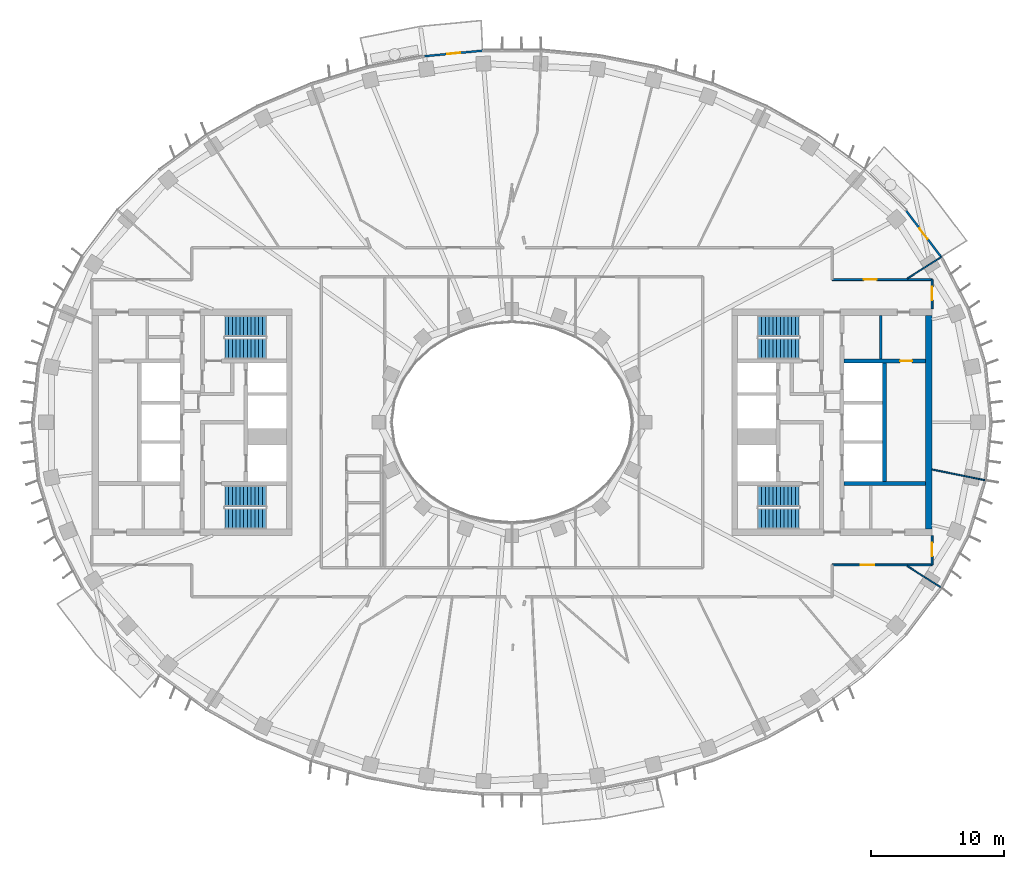
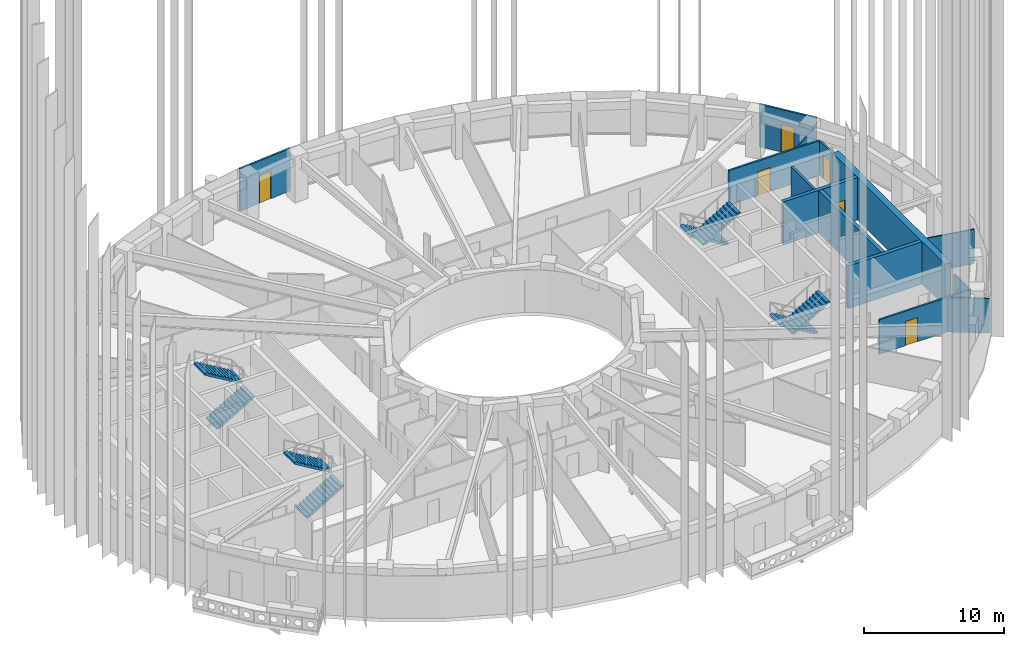
# One storey, part 7 of 19: 14 walls, 8 stair flights, 7 doors, 7 openings, 4 elements without a shape of their own.
"""IFC4 building model written with IfcOpenShell, lengths in metres."""

from ifc_helpers import new_model, si_unit, direction, frame, frame_2d, origin, place, context, subcontext, project, spatial, polyline, rectangle, outline, extrude, material, layer, layer_set, type_object, element, fill, aggregate, save


model = new_model("IFC4")

# Units and contexts
model_context = context("Model", 3, precision=1e-05, world=origin(), true_north=direction((0.0, 1.0)))
body_context = subcontext(model_context, "Body", "Model", "MODEL_VIEW")
ifc_project = project(units=[si_unit("LENGTHUNIT", "METRE"), si_unit("AREAUNIT", "SQUARE_METRE"), si_unit("VOLUMEUNIT", "CUBIC_METRE"), si_unit("PLANEANGLEUNIT", "RADIAN"), si_unit("MASSUNIT", "GRAM", prefix="KILO")], contexts=[model_context])

# Site, building, storey
site_placement = place(None, origin())
site = spatial("IfcSite", under=ifc_project, at=site_placement, CompositionType="ELEMENT")
building_placement = place(site_placement, origin())
building = spatial("IfcBuilding", under=site, at=building_placement, Name="Noorbagh Ring Tower", CompositionType="ELEMENT")
storey_placement = place(building_placement, frame((0.0, 0.0, 233.5)))
storey = spatial("IfcBuildingStorey", under=building, at=storey_placement, Name="L48", CompositionType="ELEMENT", Elevation=233.5)

# Walls
ifc_material_1 = material(Name="Gypsum board on steel studs", Category="steel")
ifc_layer_1 = layer(ifc_material_1, 0.199951171875)
ifc_layer_set_1 = layer_set([ifc_layer_1], Name="Gypsum board on steel studs")
wall_type_1 = type_object("IfcWallType", Name="CORE-PARTITION-200", PredefinedType="PARTITIONING", material=ifc_layer_set_1)
wall_1_placement = place(storey_placement, frame((27.64990234375, 4.75, 0.0), z_axis=(0.0, 0.0, 1.0), x_axis=(0.0, 1.0, 0.0)))
element("IfcWall", 1, at=wall_1_placement, inside=storey, type_object=wall_type_1, Name="Core partition E", PredefinedType="PARTITIONING", context=body_context, shape_type="SweptSolid", body=[
    extrude(rectangle(XDim=3.25, YDim=0.199951171875, at=frame_2d((1.625, 0.0))), origin(), (0.0, 0.0, 1.0), 3.699951171875),
])
ifc_material_2 = material(Name="Concrete C60/75", Category="concrete")
ifc_layer_2 = layer(ifc_material_2, 0.300048828125)
ifc_layer_set_2 = layer_set([ifc_layer_2], Name="Concrete C60/75")
wall_type_2 = type_object("IfcWallType", Name="CORE-WALL-300-C60-75-EI120", PredefinedType="SHEAR", material=ifc_layer_set_2)
wall_2_placement = place(storey_placement, frame((27.949951171875, -4.449951171875, 0.0), z_axis=(0.0, 0.0, 1.0), x_axis=(0.0, 1.0, 0.0)))
element("IfcWall", 2, at=wall_2_placement, inside=storey, type_object=wall_type_2, Name="Core wall E", PredefinedType="SHEAR", context=body_context, shape_type="SweptSolid", body=[
    extrude(rectangle(XDim=8.89990234375, YDim=0.300048828125, at=frame_2d((4.449951171875, 0.0))), origin(), (0.0, 0.0, 1.0), 3.699951171875),
])

# Wall, opening, door
ifc_material_3 = material(Name="Concrete C60/75", Category="concrete")
ifc_layer_3 = layer(ifc_material_3, 0.300048828125)
ifc_layer_set_3 = layer_set([ifc_layer_3], Name="Concrete C60/75")
wall_type_3 = type_object("IfcWallType", Name="CORE-WALL-300-C60-75-EI240", PredefinedType="SHEAR", material=ifc_layer_set_3)
wall_3_placement = place(storey_placement, frame((24.89990234375, 4.60009765625, 0.0), z_axis=(0.0, 0.0, 1.0), x_axis=(1.0, 0.0, 0.0)))
wall_3 = element("IfcWall", 3, at=wall_3_placement, inside=storey, type_object=wall_type_3, Name="Core wall E", PredefinedType="SHEAR", context=body_context, shape_type="SweptSolid", body=[
    extrude(rectangle(XDim=6.10009765625, YDim=0.300048828125, at=frame_2d((3.050048828125, 0.0))), origin(), (0.0, 0.0, 1.0), 3.699951171875),
])
opening_1_placement = place(wall_3_placement, frame((4.199951171875, 0.0, 0.0)))
opening_1 = element("IfcOpeningElement", 4, at=opening_1_placement, cuts=wall_3, Name="Opening L48-CE18", PredefinedType="OPENING", context=body_context, shape_type="SweptSolid", body=[
    extrude(rectangle(XDim=0.89990234375, YDim=2.10009765625, at=frame_2d((0.449951171875, 1.050048828125))), frame((0.0, 0.16015625, 0.0), z_axis=(0.0, -1.0, 0.0), x_axis=(1.0, 0.0, 0.0)), (0.0, 0.0, 1.0), 0.320068359375),
])
ifc_material_4 = material(Name="Steel door leaf", Category="steel")
door_type_1 = type_object("IfcDoorType", Name="CORE-DOOR-DROOM", OperationType="SINGLE_SWING_LEFT", PredefinedType="DOOR", material=ifc_material_4)
door_1_placement = place(opening_1_placement, origin())
door_1 = element("IfcDoor", 5, at=door_1_placement, inside=storey, type_object=door_type_1, Name="Core room door L48-CE18", OperationType="SINGLE_SWING_RIGHT", OverallHeight=2.10009765625, OverallWidth=0.89990234375, PredefinedType="DOOR", context=body_context, shape_type="SweptSolid", body=[
    extrude(rectangle(XDim=0.89990234375, YDim=2.10009765625, at=frame_2d((0.449951171875, 1.050048828125))), frame((0.0, 0.02490234375, 0.0), z_axis=(0.0, -1.0, 0.0), x_axis=(1.0, 0.0, 0.0)), (0.0, 0.0, 1.0), 0.050048828125),
])
fill(opening_1, door_1)

# Walls
wall_4_placement = place(storey_placement, frame((24.89990234375, -4.60009765625, 0.0), z_axis=(0.0, 0.0, 1.0), x_axis=(1.0, 0.0, 0.0)))
element("IfcWall", 6, at=wall_4_placement, inside=storey, type_object=wall_type_3, Name="Core wall E", PredefinedType="SHEAR", context=body_context, shape_type="SweptSolid", body=[
    extrude(rectangle(XDim=6.10009765625, YDim=0.300048828125, at=frame_2d((3.050048828125, 0.0))), origin(), (0.0, 0.0, 1.0), 3.699951171875),
])
ifc_material_5 = material(Name="Concrete C60/75", Category="concrete")
ifc_layer_4 = layer(ifc_material_5, 0.5)
ifc_layer_set_4 = layer_set([ifc_layer_4], Name="Concrete C60/75")
wall_type_4 = type_object("IfcWallType", Name="CORE-WALL-500-C60-75-EI240", PredefinedType="SHEAR", material=ifc_layer_set_4)
wall_5_placement = place(storey_placement, frame((31.25, -8.0, 0.0), z_axis=(0.0, 0.0, 1.0), x_axis=(0.0, 1.0, 0.0)))
element("IfcWall", 7, at=wall_5_placement, inside=storey, type_object=wall_type_4, Name="Core wall E", PredefinedType="SHEAR", context=body_context, shape_type="SweptSolid", body=[
    extrude(rectangle(XDim=16.0, YDim=0.5, at=frame_2d((8.0, 0.0))), origin(), (0.0, 0.0, 1.0), 3.699951171875),
])

# Wall, opening, door
ifc_material_6 = material(Name="Gypsum board on steel studs", Category="steel")
ifc_layer_5 = layer(ifc_material_6, 0.14990234375)
ifc_layer_set_5 = layer_set([ifc_layer_5], Name="Gypsum board on steel studs")
wall_type_5 = type_object("IfcWallType", Name="CORRIDOR PARTITION 150 EI 30", PredefinedType="PARTITIONING", material=ifc_layer_set_5)
wall_6_placement = place(storey_placement, frame((24.0, -10.699951171875, 0.0), z_axis=(0.0, 0.0, 1.0), x_axis=(1.0, 0.0, 0.0)))
wall_6 = element("IfcWall", 8, at=wall_6_placement, inside=storey, type_object=wall_type_5, Name="L48/wall/P70", PredefinedType="PARTITIONING", context=body_context, shape_type="SweptSolid", body=[
    extrude(rectangle(XDim=7.5, YDim=0.14990234375, at=frame_2d((3.75, 0.0))), origin(), (0.0, 0.0, 1.0), 3.0),
])
opening_2_placement = place(wall_6_placement, frame((2.14990234375, 0.0, 0.0)))
opening_2 = element("IfcOpeningElement", 9, at=opening_2_placement, cuts=wall_6, Name="Opening D1", PredefinedType="OPENING", context=body_context, shape_type="SweptSolid", body=[
    extrude(rectangle(XDim=1.0, YDim=2.10009765625, at=frame_2d((0.5, 1.050048828125))), frame((0.0, 0.0849609375, 0.0), z_axis=(0.0, -1.0, 0.0), x_axis=(1.0, 0.0, 0.0)), (0.0, 0.0, 1.0), 0.169921875),
])
ifc_material_7 = material(Name="Timber, painted", Category="wood")
door_type_2 = type_object("IfcDoorType", Name="DOOR 1000 X 2100 FD30", OperationType="SINGLE_SWING_LEFT", PredefinedType="DOOR", material=ifc_material_7)
door_2_placement = place(opening_2_placement, origin())
door_2 = element("IfcDoor", 10, at=door_2_placement, inside=storey, type_object=door_type_2, Name="L48-D20", OperationType="SINGLE_SWING_RIGHT", OverallHeight=2.10009765625, OverallWidth=1.0, PredefinedType="DOOR", context=body_context, shape_type="SweptSolid", body=[
    extrude(rectangle(XDim=1.0, YDim=2.10009765625, at=frame_2d((0.5, 1.050048828125))), frame((0.0, 0.02490234375, 0.0), z_axis=(0.0, -1.0, 0.0), x_axis=(1.0, 0.0, 0.0)), (0.0, 0.0, 1.0), 0.050048828125),
])
fill(opening_2, door_2)

wall_7_placement = place(storey_placement, frame((24.0, 10.699951171875, 0.0), z_axis=(0.0, 0.0, 1.0), x_axis=(1.0, 0.0, 0.0)))
wall_7 = element("IfcWall", 11, at=wall_7_placement, inside=storey, type_object=wall_type_5, Name="L48/wall/P72", PredefinedType="PARTITIONING", context=body_context, shape_type="SweptSolid", body=[
    extrude(rectangle(XDim=7.5, YDim=0.14990234375, at=frame_2d((3.75, 0.0))), origin(), (0.0, 0.0, 1.0), 3.0),
])
opening_3_placement = place(wall_7_placement, frame((2.37109375, 0.0, 0.0)))
opening_3 = element("IfcOpeningElement", 12, at=opening_3_placement, cuts=wall_7, Name="Opening D1", PredefinedType="OPENING", context=body_context, shape_type="SweptSolid", body=[
    extrude(rectangle(XDim=1.0, YDim=2.10009765625, at=frame_2d((0.5, 1.050048828125))), frame((0.0, 0.0849609375, 0.0), z_axis=(0.0, -1.0, 0.0), x_axis=(1.0, 0.0, 0.0)), (0.0, 0.0, 1.0), 0.169921875),
])
door_3_placement = place(opening_3_placement, origin())
door_3 = element("IfcDoor", 13, at=door_3_placement, inside=storey, type_object=door_type_2, Name="L48-D21", OperationType="SINGLE_SWING_LEFT", OverallHeight=2.10009765625, OverallWidth=1.0, PredefinedType="DOOR", context=body_context, shape_type="SweptSolid", body=[
    extrude(rectangle(XDim=1.0, YDim=2.10009765625, at=frame_2d((0.5, 1.050048828125))), frame((0.0, 0.02490234375, 0.0), z_axis=(0.0, -1.0, 0.0), x_axis=(1.0, 0.0, 0.0)), (0.0, 0.0, 1.0), 0.050048828125),
])
fill(opening_3, door_3)

wall_8_placement = place(storey_placement, frame((31.5, -10.699951171875, 0.0), z_axis=(0.0, 0.0, 1.0), x_axis=(0.0, 1.0, 0.0)))
wall_8 = element("IfcWall", 14, at=wall_8_placement, inside=storey, type_object=wall_type_5, Name="L48/wall/P75", PredefinedType="PARTITIONING", context=body_context, shape_type="SweptSolid", body=[
    extrude(rectangle(XDim=2.199951171875, YDim=0.14990234375, at=frame_2d((1.10009765625, 0.0))), origin(), (0.0, 0.0, 1.0), 3.0),
])
opening_4_placement = place(wall_8_placement, frame((0.64990234375, 0.0, 0.0)))
opening_4 = element("IfcOpeningElement", 15, at=opening_4_placement, cuts=wall_8, Name="Opening D1", PredefinedType="OPENING", context=body_context, shape_type="SweptSolid", body=[
    extrude(rectangle(XDim=1.0, YDim=2.10009765625, at=frame_2d((0.5, 1.050048828125))), frame((0.0, 0.0849609375, 0.0), z_axis=(0.0, -1.0, 0.0), x_axis=(1.0, 0.0, 0.0)), (0.0, 0.0, 1.0), 0.169921875),
])
door_4_placement = place(opening_4_placement, origin())
door_4 = element("IfcDoor", 16, at=door_4_placement, inside=storey, type_object=door_type_2, Name="L48-D22", OperationType="SINGLE_SWING_RIGHT", OverallHeight=2.10009765625, OverallWidth=1.0, PredefinedType="DOOR", context=body_context, shape_type="SweptSolid", body=[
    extrude(rectangle(XDim=1.0, YDim=2.10009765625, at=frame_2d((0.5, 1.050048828125))), frame((0.0, 0.02490234375, 0.0), z_axis=(0.0, -1.0, 0.0), x_axis=(1.0, 0.0, 0.0)), (0.0, 0.0, 1.0), 0.050048828125),
])
fill(opening_4, door_4)

wall_9_placement = place(storey_placement, frame((31.5, 8.5, 0.0), z_axis=(0.0, 0.0, 1.0), x_axis=(0.0, 1.0, 0.0)))
wall_9 = element("IfcWall", 17, at=wall_9_placement, inside=storey, type_object=wall_type_5, Name="L48/wall/P77", PredefinedType="PARTITIONING", context=body_context, shape_type="SweptSolid", body=[
    extrude(rectangle(XDim=2.199951171875, YDim=0.14990234375, at=frame_2d((1.10009765625, 0.0))), origin(), (0.0, 0.0, 1.0), 3.0),
])
opening_5_placement = place(wall_9_placement, frame((0.64990234375, 0.0, 0.0)))
opening_5 = element("IfcOpeningElement", 18, at=opening_5_placement, cuts=wall_9, Name="Opening D1", PredefinedType="OPENING", context=body_context, shape_type="SweptSolid", body=[
    extrude(rectangle(XDim=1.0, YDim=2.10009765625, at=frame_2d((0.5, 1.050048828125))), frame((0.0, 0.0849609375, 0.0), z_axis=(0.0, -1.0, 0.0), x_axis=(1.0, 0.0, 0.0)), (0.0, 0.0, 1.0), 0.169921875),
])
door_5_placement = place(opening_5_placement, origin())
door_5 = element("IfcDoor", 19, at=door_5_placement, inside=storey, type_object=door_type_2, Name="L48-D23", OperationType="SINGLE_SWING_LEFT", OverallHeight=2.10009765625, OverallWidth=1.0, PredefinedType="DOOR", context=body_context, shape_type="SweptSolid", body=[
    extrude(rectangle(XDim=1.0, YDim=2.10009765625, at=frame_2d((0.5, 1.050048828125))), frame((0.0, 0.02490234375, 0.0), z_axis=(0.0, -1.0, 0.0), x_axis=(1.0, 0.0, 0.0)), (0.0, 0.0, 1.0), 0.050048828125),
])
fill(opening_5, door_5)

ifc_material_8 = material(Name="Insulated aluminium clad panel", Category="aluminium")
ifc_layer_6 = layer(ifc_material_8, 0.14990234375)
ifc_layer_set_6 = layer_set([ifc_layer_6], Name="Insulated aluminium clad panel")
wall_type_6 = type_object("IfcWallType", Name="ENV-WALL-DOOR", PredefinedType="STANDARD", material=ifc_layer_set_6)
wall_10_placement = place(storey_placement, frame((32.20751953125, 12.37353515625, 0.0), z_axis=(0.0, 0.0, 1.0), x_axis=(-0.604045763106, 0.796949632081, 0.0)))
wall_10 = element("IfcWall", 20, at=wall_10_placement, inside=storey, type_object=wall_type_6, Name="Balcony door wall chord 04", PredefinedType="STANDARD", context=body_context, shape_type="SweptSolid", body=[
    extrude(rectangle(XDim=4.42333984375, YDim=0.14990234375, at=frame_2d((2.211669921875, 0.0))), origin(), (0.0, 0.0, 1.0), 3.699951171875),
])
opening_6_placement = place(wall_10_placement, frame((1.711669921875, 0.0, 0.0)))
opening_6 = element("IfcOpeningElement", 21, at=opening_6_placement, cuts=wall_10, Name="Opening D-BL", PredefinedType="OPENING", context=body_context, shape_type="SweptSolid", body=[
    extrude(rectangle(XDim=1.0, YDim=2.39990234375, at=frame_2d((0.5, 1.199951171875))), frame((0.0, 0.0849609375, 0.0), z_axis=(0.0, -1.0, 0.0), x_axis=(1.0, 0.0, 0.0)), (0.0, 0.0, 1.0), 0.169921875),
])
ifc_material_9 = material(Name="Aluminium and glass", Category="aluminium")
door_type_3 = type_object("IfcDoorType", Name="ENV-DOOR-BALCONY", OperationType="SINGLE_SWING_LEFT", PredefinedType="DOOR", material=ifc_material_9)
door_6_placement = place(opening_6_placement, origin())
door_6 = element("IfcDoor", 22, at=door_6_placement, inside=storey, type_object=door_type_3, Name="Balcony door chord 04", OperationType="SINGLE_SWING_LEFT", OverallHeight=2.39990234375, OverallWidth=1.0, PredefinedType="DOOR", context=body_context, shape_type="SweptSolid", body=[
    extrude(rectangle(XDim=1.0, YDim=2.39990234375, at=frame_2d((0.5, 1.199951171875))), frame((0.0, 0.02490234375, 0.0), z_axis=(0.0, -1.0, 0.0), x_axis=(1.0, 0.0, 0.0)), (0.0, 0.0, 1.0), 0.050048828125),
])
fill(opening_6, door_6)

wall_11_placement = place(storey_placement, frame((-2.166259765625, 27.875244140625, 0.0), z_axis=(0.0, 0.0, 1.0), x_axis=(-0.995473879823, -0.095035543824, 0.0)))
wall_11 = element("IfcWall", 23, at=wall_11_placement, inside=storey, type_object=wall_type_6, Name="Balcony door wall chord 13", PredefinedType="STANDARD", context=body_context, shape_type="SweptSolid", body=[
    extrude(rectangle(XDim=4.42626953125, YDim=0.14990234375, at=frame_2d((2.213134765625, 0.0))), origin(), (0.0, 0.0, 1.0), 3.699951171875),
])
opening_7_placement = place(wall_11_placement, frame((1.713134765625, 0.0, 0.0)))
opening_7 = element("IfcOpeningElement", 24, at=opening_7_placement, cuts=wall_11, Name="Opening D-BL", PredefinedType="OPENING", context=body_context, shape_type="SweptSolid", body=[
    extrude(rectangle(XDim=1.0, YDim=2.39990234375, at=frame_2d((0.5, 1.199951171875))), frame((0.0, 0.0849609375, 0.0), z_axis=(0.0, -1.0, 0.0), x_axis=(1.0, 0.0, 0.0)), (0.0, 0.0, 1.0), 0.169921875),
])
door_7_placement = place(opening_7_placement, origin())
door_7 = element("IfcDoor", 25, at=door_7_placement, inside=storey, type_object=door_type_3, Name="Balcony door chord 13", OperationType="SINGLE_SWING_LEFT", OverallHeight=2.39990234375, OverallWidth=1.0, PredefinedType="DOOR", context=body_context, shape_type="SweptSolid", body=[
    extrude(rectangle(XDim=1.0, YDim=2.39990234375, at=frame_2d((0.5, 1.199951171875))), frame((0.0, 0.02490234375, 0.0), z_axis=(0.0, -1.0, 0.0), x_axis=(1.0, 0.0, 0.0)), (0.0, 0.0, 1.0), 0.050048828125),
])
fill(opening_7, door_7)

# Walls
ifc_material_10 = material(Name="Gypsum board on steel studs", Category="steel")
ifc_layer_7 = layer(ifc_material_10, 0.10009765625)
ifc_layer_set_7 = layer_set([ifc_layer_7], Name="Gypsum board on steel studs")
wall_type_7 = type_object("IfcWallType", Name="PARTITION 100 GYPSUM", PredefinedType="PARTITIONING", material=ifc_layer_set_7)
for number, where, z_axis, x_axis, name in (
    (26, (29.636962890625, -10.777099609375, 0.0), (0.0, 0.0, 1.0), (0.844810627195, -0.535065420467, 0.0), "L48/wall/P73"),
    (27, (29.636962890625, 10.777099609375, 0.0), (0.0, 0.0, 1.0), (0.844810627195, 0.535065420467, 0.0), "L48/wall/P74"),
):
    element("IfcWall", number, at=place(storey_placement, frame(where, z_axis=z_axis, x_axis=x_axis)), inside=storey, type_object=wall_type_7, Name=name, PredefinedType="PARTITIONING", context=body_context, shape_type="SweptSolid", body=[
        extrude(rectangle(XDim=3.0478515625, YDim=0.10009765625, at=frame_2d((1.52392578125, 0.0))), origin(), (0.0, 0.0, 1.0), 3.0),
    ])
wall_12_placement = place(storey_placement, frame((31.5, -3.5419921875, 0.0), z_axis=(0.0, 0.0, 1.0), x_axis=(0.980357474535, -0.197228857227, 0.0)))
element("IfcWall", 28, at=wall_12_placement, inside=storey, type_object=wall_type_7, Name="L48/wall/P76", PredefinedType="PARTITIONING", context=body_context, shape_type="SweptSolid", body=[
    extrude(rectangle(XDim=4.09228515625, YDim=0.10009765625, at=frame_2d((2.046142578125, 0.0))), origin(), (0.0, 0.0, 1.0), 3.0),
])

# Stair, stair flights
ifc_material_11 = material(Name="Concrete C40/50", Category="concrete")
stair_type = type_object("IfcStairType", Name="CORE-STAIR", PredefinedType="HALF_TURN_STAIR", material=ifc_material_11)
stair_1_placement = place(storey_placement, origin())
stair_1 = element("IfcStair", 29, at=stair_1_placement, inside=storey, type_object=stair_type, Name="L48 Exit stair ST1", PredefinedType="HALF_TURN_STAIR")
ifc_material_12 = material(Name="Concrete C40/50", Category="concrete")
stair_flight_type = type_object("IfcStairFlightType", Name="CORE-STAIR-FLIGHT", PredefinedType="STRAIGHT", material=ifc_material_12)
stair_flight_1_placement = place(storey_placement, frame((-21.530029296875, 5.52490234375, 0.0), z_axis=(0.0, 0.0, 1.0), x_axis=(1.0, 0.0, 0.0)))
stair_flight_1 = element("IfcStairFlight", 30, at=stair_flight_1_placement, type_object=stair_flight_type, Name="ST1 flight 1", NumberOfRisers=12, NumberOfTreads=11, PredefinedType="STRAIGHT", RiserHeight=0.166666667, TreadLength=0.28, context=body_context, shape_type="SweptSolid", body=[
    extrude(outline(polyline([(0.0, 0.0), (0.0, 0.166748046875), (0.280029296875, 0.166748046875), (0.280029296875, 0.333251953125), (0.56005859375, 0.333251953125), (0.56005859375, 0.5), (0.840087890625, 0.5), (0.840087890625, 0.666748046875), (1.1201171875, 0.666748046875), (1.1201171875, 0.833251953125), (1.39990234375, 0.833251953125), (1.39990234375, 1.0), (1.679931640625, 1.0), (1.679931640625, 1.166748046875), (1.9599609375, 1.166748046875), (1.9599609375, 1.333251953125), (2.239990234375, 1.333251953125), (2.239990234375, 1.5), (2.52001953125, 1.5), (2.52001953125, 1.666748046875), (2.800048828125, 1.666748046875), (2.800048828125, 1.833251953125), (3.080078125, 1.833251953125), (3.080078125, 2.0), (3.080078125, 1.658935546875), (0.29296875, 0.0), (0.0, 0.0)])), frame((0.0, 0.77490234375, 0.0), z_axis=(0.0, -1.0, 0.0), x_axis=(1.0, 0.0, 0.0)), (0.0, 0.0, 1.0), 1.550048828125),
])
stair_flight_2_placement = place(storey_placement, frame((-18.449951171875, 7.22509765625, 2.0), z_axis=(0.0, 0.0, 1.0), x_axis=(-1.0, 0.0, 0.0)))
stair_flight_2 = element("IfcStairFlight", 31, at=stair_flight_2_placement, type_object=stair_flight_type, Name="ST1 flight 2", NumberOfRisers=12, NumberOfTreads=11, PredefinedType="STRAIGHT", RiserHeight=0.166666667, TreadLength=0.28, context=body_context, shape_type="SweptSolid", body=[
    extrude(outline(polyline([(0.0, 0.0), (0.0, 0.166748046875), (0.280029296875, 0.166748046875), (0.280029296875, 0.333251953125), (0.56005859375, 0.333251953125), (0.56005859375, 0.5), (0.840087890625, 0.5), (0.840087890625, 0.666748046875), (1.1201171875, 0.666748046875), (1.1201171875, 0.833251953125), (1.39990234375, 0.833251953125), (1.39990234375, 1.0), (1.679931640625, 1.0), (1.679931640625, 1.166748046875), (1.9599609375, 1.166748046875), (1.9599609375, 1.333251953125), (2.239990234375, 1.333251953125), (2.239990234375, 1.5), (2.52001953125, 1.5), (2.52001953125, 1.666748046875), (2.800048828125, 1.666748046875), (2.800048828125, 1.833251953125), (3.080078125, 1.833251953125), (3.080078125, 2.0), (3.080078125, 1.658935546875), (0.29296875, 0.0), (0.0, 0.0)])), frame((0.0, 0.77490234375, 0.0), z_axis=(0.0, -1.0, 0.0), x_axis=(1.0, 0.0, 0.0)), (0.0, 0.0, 1.0), 1.550048828125),
])
aggregate(stair_1, [stair_flight_1, stair_flight_2])

stair_2_placement = place(storey_placement, origin())
stair_2 = element("IfcStair", 32, at=stair_2_placement, inside=storey, type_object=stair_type, Name="L48 Exit stair ST2", PredefinedType="HALF_TURN_STAIR")
stair_flight_3_placement = place(storey_placement, frame((-21.530029296875, -7.22509765625, 0.0), z_axis=(0.0, 0.0, 1.0), x_axis=(1.0, 0.0, 0.0)))
stair_flight_3 = element("IfcStairFlight", 33, at=stair_flight_3_placement, type_object=stair_flight_type, Name="ST2 flight 1", NumberOfRisers=12, NumberOfTreads=11, PredefinedType="STRAIGHT", RiserHeight=0.166666667, TreadLength=0.28, context=body_context, shape_type="SweptSolid", body=[
    extrude(outline(polyline([(0.0, 0.0), (0.0, 0.166748046875), (0.280029296875, 0.166748046875), (0.280029296875, 0.333251953125), (0.56005859375, 0.333251953125), (0.56005859375, 0.5), (0.840087890625, 0.5), (0.840087890625, 0.666748046875), (1.1201171875, 0.666748046875), (1.1201171875, 0.833251953125), (1.39990234375, 0.833251953125), (1.39990234375, 1.0), (1.679931640625, 1.0), (1.679931640625, 1.166748046875), (1.9599609375, 1.166748046875), (1.9599609375, 1.333251953125), (2.239990234375, 1.333251953125), (2.239990234375, 1.5), (2.52001953125, 1.5), (2.52001953125, 1.666748046875), (2.800048828125, 1.666748046875), (2.800048828125, 1.833251953125), (3.080078125, 1.833251953125), (3.080078125, 2.0), (3.080078125, 1.658935546875), (0.29296875, 0.0), (0.0, 0.0)])), frame((0.0, 0.77490234375, 0.0), z_axis=(0.0, -1.0, 0.0), x_axis=(1.0, 0.0, 0.0)), (0.0, 0.0, 1.0), 1.550048828125),
])
stair_flight_4_placement = place(storey_placement, frame((-18.449951171875, -5.52490234375, 2.0), z_axis=(0.0, 0.0, 1.0), x_axis=(-1.0, 0.0, 0.0)))
stair_flight_4 = element("IfcStairFlight", 34, at=stair_flight_4_placement, type_object=stair_flight_type, Name="ST2 flight 2", NumberOfRisers=12, NumberOfTreads=11, PredefinedType="STRAIGHT", RiserHeight=0.166666667, TreadLength=0.28, context=body_context, shape_type="SweptSolid", body=[
    extrude(outline(polyline([(0.0, 0.0), (0.0, 0.166748046875), (0.280029296875, 0.166748046875), (0.280029296875, 0.333251953125), (0.56005859375, 0.333251953125), (0.56005859375, 0.5), (0.840087890625, 0.5), (0.840087890625, 0.666748046875), (1.1201171875, 0.666748046875), (1.1201171875, 0.833251953125), (1.39990234375, 0.833251953125), (1.39990234375, 1.0), (1.679931640625, 1.0), (1.679931640625, 1.166748046875), (1.9599609375, 1.166748046875), (1.9599609375, 1.333251953125), (2.239990234375, 1.333251953125), (2.239990234375, 1.5), (2.52001953125, 1.5), (2.52001953125, 1.666748046875), (2.800048828125, 1.666748046875), (2.800048828125, 1.833251953125), (3.080078125, 1.833251953125), (3.080078125, 2.0), (3.080078125, 1.658935546875), (0.29296875, 0.0), (0.0, 0.0)])), frame((0.0, 0.77490234375, 0.0), z_axis=(0.0, -1.0, 0.0), x_axis=(1.0, 0.0, 0.0)), (0.0, 0.0, 1.0), 1.550048828125),
])
aggregate(stair_2, [stair_flight_3, stair_flight_4])

stair_3_placement = place(storey_placement, origin())
stair_3 = element("IfcStair", 35, at=stair_3_placement, inside=storey, type_object=stair_type, Name="L48 Exit stair ST3", PredefinedType="HALF_TURN_STAIR")
stair_flight_5_placement = place(storey_placement, frame((21.530029296875, 7.22509765625, 0.0), z_axis=(0.0, 0.0, 1.0), x_axis=(-1.0, 0.0, 0.0)))
stair_flight_5 = element("IfcStairFlight", 36, at=stair_flight_5_placement, type_object=stair_flight_type, Name="ST3 flight 1", NumberOfRisers=12, NumberOfTreads=11, PredefinedType="STRAIGHT", RiserHeight=0.166666667, TreadLength=0.28, context=body_context, shape_type="SweptSolid", body=[
    extrude(outline(polyline([(0.0, 0.0), (0.0, 0.166748046875), (0.280029296875, 0.166748046875), (0.280029296875, 0.333251953125), (0.56005859375, 0.333251953125), (0.56005859375, 0.5), (0.840087890625, 0.5), (0.840087890625, 0.666748046875), (1.1201171875, 0.666748046875), (1.1201171875, 0.833251953125), (1.39990234375, 0.833251953125), (1.39990234375, 1.0), (1.679931640625, 1.0), (1.679931640625, 1.166748046875), (1.9599609375, 1.166748046875), (1.9599609375, 1.333251953125), (2.239990234375, 1.333251953125), (2.239990234375, 1.5), (2.52001953125, 1.5), (2.52001953125, 1.666748046875), (2.800048828125, 1.666748046875), (2.800048828125, 1.833251953125), (3.080078125, 1.833251953125), (3.080078125, 2.0), (3.080078125, 1.658935546875), (0.29296875, 0.0), (0.0, 0.0)])), frame((0.0, 0.77490234375, 0.0), z_axis=(0.0, -1.0, 0.0), x_axis=(1.0, 0.0, 0.0)), (0.0, 0.0, 1.0), 1.550048828125),
])
stair_flight_6_placement = place(storey_placement, frame((18.449951171875, 5.52490234375, 2.0), z_axis=(0.0, 0.0, 1.0), x_axis=(1.0, 0.0, 0.0)))
stair_flight_6 = element("IfcStairFlight", 37, at=stair_flight_6_placement, type_object=stair_flight_type, Name="ST3 flight 2", NumberOfRisers=12, NumberOfTreads=11, PredefinedType="STRAIGHT", RiserHeight=0.166666667, TreadLength=0.28, context=body_context, shape_type="SweptSolid", body=[
    extrude(outline(polyline([(0.0, 0.0), (0.0, 0.166748046875), (0.280029296875, 0.166748046875), (0.280029296875, 0.333251953125), (0.56005859375, 0.333251953125), (0.56005859375, 0.5), (0.840087890625, 0.5), (0.840087890625, 0.666748046875), (1.1201171875, 0.666748046875), (1.1201171875, 0.833251953125), (1.39990234375, 0.833251953125), (1.39990234375, 1.0), (1.679931640625, 1.0), (1.679931640625, 1.166748046875), (1.9599609375, 1.166748046875), (1.9599609375, 1.333251953125), (2.239990234375, 1.333251953125), (2.239990234375, 1.5), (2.52001953125, 1.5), (2.52001953125, 1.666748046875), (2.800048828125, 1.666748046875), (2.800048828125, 1.833251953125), (3.080078125, 1.833251953125), (3.080078125, 2.0), (3.080078125, 1.658935546875), (0.29296875, 0.0), (0.0, 0.0)])), frame((0.0, 0.77490234375, 0.0), z_axis=(0.0, -1.0, 0.0), x_axis=(1.0, 0.0, 0.0)), (0.0, 0.0, 1.0), 1.550048828125),
])
aggregate(stair_3, [stair_flight_5, stair_flight_6])

stair_4_placement = place(storey_placement, origin())
stair_4 = element("IfcStair", 38, at=stair_4_placement, inside=storey, type_object=stair_type, Name="L48 Exit stair ST4", PredefinedType="HALF_TURN_STAIR")
stair_flight_7_placement = place(storey_placement, frame((21.530029296875, -5.52490234375, 0.0), z_axis=(0.0, 0.0, 1.0), x_axis=(-1.0, 0.0, 0.0)))
stair_flight_7 = element("IfcStairFlight", 39, at=stair_flight_7_placement, type_object=stair_flight_type, Name="ST4 flight 1", NumberOfRisers=12, NumberOfTreads=11, PredefinedType="STRAIGHT", RiserHeight=0.166666667, TreadLength=0.28, context=body_context, shape_type="SweptSolid", body=[
    extrude(outline(polyline([(0.0, 0.0), (0.0, 0.166748046875), (0.280029296875, 0.166748046875), (0.280029296875, 0.333251953125), (0.56005859375, 0.333251953125), (0.56005859375, 0.5), (0.840087890625, 0.5), (0.840087890625, 0.666748046875), (1.1201171875, 0.666748046875), (1.1201171875, 0.833251953125), (1.39990234375, 0.833251953125), (1.39990234375, 1.0), (1.679931640625, 1.0), (1.679931640625, 1.166748046875), (1.9599609375, 1.166748046875), (1.9599609375, 1.333251953125), (2.239990234375, 1.333251953125), (2.239990234375, 1.5), (2.52001953125, 1.5), (2.52001953125, 1.666748046875), (2.800048828125, 1.666748046875), (2.800048828125, 1.833251953125), (3.080078125, 1.833251953125), (3.080078125, 2.0), (3.080078125, 1.658935546875), (0.29296875, 0.0), (0.0, 0.0)])), frame((0.0, 0.77490234375, 0.0), z_axis=(0.0, -1.0, 0.0), x_axis=(1.0, 0.0, 0.0)), (0.0, 0.0, 1.0), 1.550048828125),
])
stair_flight_8_placement = place(storey_placement, frame((18.449951171875, -7.22509765625, 2.0), z_axis=(0.0, 0.0, 1.0), x_axis=(1.0, 0.0, 0.0)))
stair_flight_8 = element("IfcStairFlight", 40, at=stair_flight_8_placement, type_object=stair_flight_type, Name="ST4 flight 2", NumberOfRisers=12, NumberOfTreads=11, PredefinedType="STRAIGHT", RiserHeight=0.166666667, TreadLength=0.28, context=body_context, shape_type="SweptSolid", body=[
    extrude(outline(polyline([(0.0, 0.0), (0.0, 0.166748046875), (0.280029296875, 0.166748046875), (0.280029296875, 0.333251953125), (0.56005859375, 0.333251953125), (0.56005859375, 0.5), (0.840087890625, 0.5), (0.840087890625, 0.666748046875), (1.1201171875, 0.666748046875), (1.1201171875, 0.833251953125), (1.39990234375, 0.833251953125), (1.39990234375, 1.0), (1.679931640625, 1.0), (1.679931640625, 1.166748046875), (1.9599609375, 1.166748046875), (1.9599609375, 1.333251953125), (2.239990234375, 1.333251953125), (2.239990234375, 1.5), (2.52001953125, 1.5), (2.52001953125, 1.666748046875), (2.800048828125, 1.666748046875), (2.800048828125, 1.833251953125), (3.080078125, 1.833251953125), (3.080078125, 2.0), (3.080078125, 1.658935546875), (0.29296875, 0.0), (0.0, 0.0)])), frame((0.0, 0.77490234375, 0.0), z_axis=(0.0, -1.0, 0.0), x_axis=(1.0, 0.0, 0.0)), (0.0, 0.0, 1.0), 1.550048828125),
])
aggregate(stair_4, [stair_flight_7, stair_flight_8])

save(model, "model.ifc")
